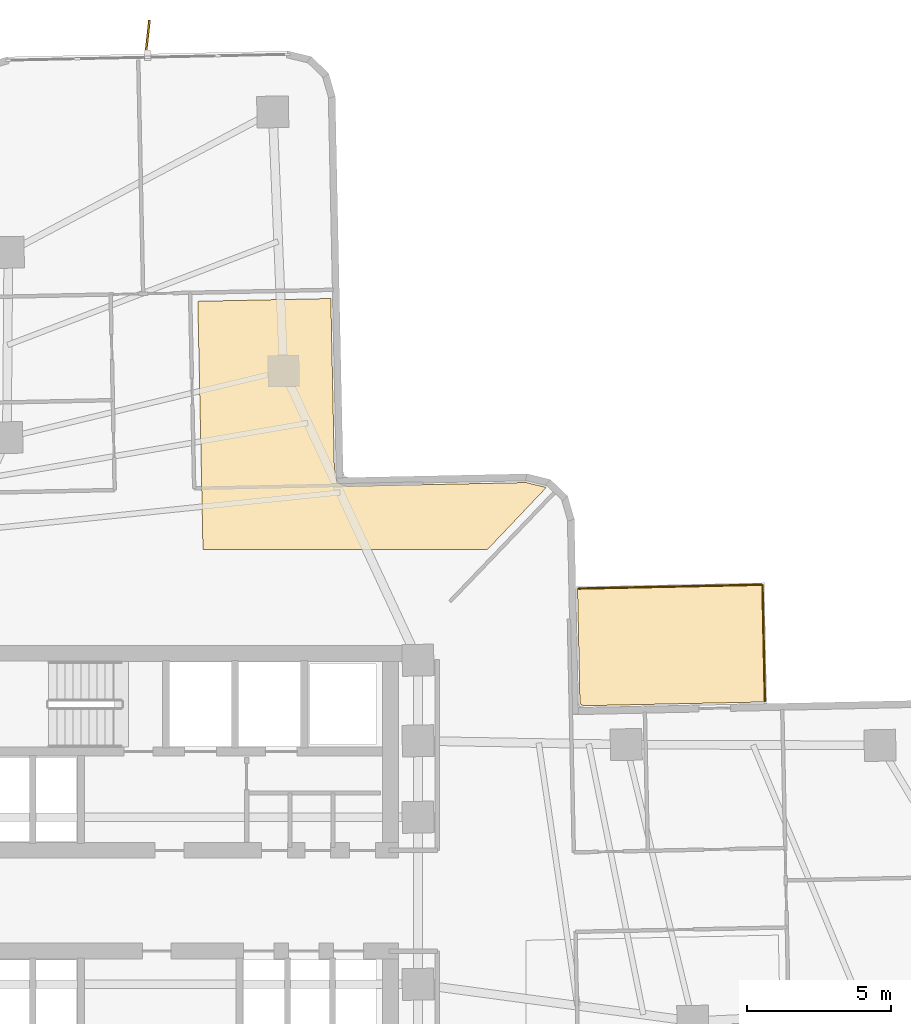
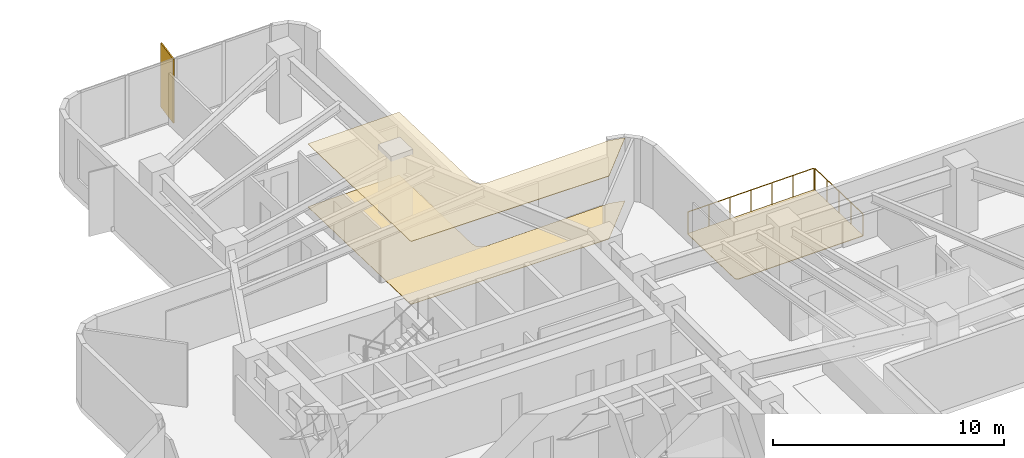
# One storey, part 15 of 15: 3 coverings, 2 railings, 1 shading device.
"""IFC4 building model written with IfcOpenShell, lengths in metres."""

from ifc_helpers import new_model, si_unit, direction, frame, origin, origin_2d, place, context, subcontext, project, spatial, polyline, rectangle, circle, outline, extrude, material, layer, layer_set, type_object, element, save


model = new_model("IFC4")

# Units and contexts
model_context = context("Model", 3, precision=1e-05, world=origin(), true_north=direction((0.0, 1.0)))
body_context = subcontext(model_context, "Body", "Model", "MODEL_VIEW")
ifc_project = project(units=[si_unit("LENGTHUNIT", "METRE"), si_unit("AREAUNIT", "SQUARE_METRE"), si_unit("VOLUMEUNIT", "CUBIC_METRE"), si_unit("PLANEANGLEUNIT", "RADIAN"), si_unit("MASSUNIT", "GRAM", prefix="KILO")], contexts=[model_context])

# Site, building, storey
site_placement = place(None, origin())
site = spatial("IfcSite", under=ifc_project, at=site_placement, CompositionType="ELEMENT")
building_placement = place(site_placement, origin())
building = spatial("IfcBuilding", under=site, at=building_placement, Name="Solmarez Civic Tower", CompositionType="ELEMENT")
storey_placement = place(building_placement, frame((0.0, 0.0, 38.8798828125)))
storey = spatial("IfcBuildingStorey", under=building, at=storey_placement, Name="L09", CompositionType="ELEMENT", Elevation=38.8798828125)

# Coverings
ifc_material_1 = material(Name="Perforated Mineral-Fibre Acoustic Ceiling")
ifc_layer_1 = layer(ifc_material_1, 0.02490234375)
ifc_layer_set_1 = layer_set([ifc_layer_1], Name="Perforated Mineral-Fibre Acoustic Ceiling")
covering_type_1 = type_object("IfcCoveringType", Name="COV-CEIL-ACOUSTIC", PredefinedType="CEILING", material=ifc_layer_set_1)
covering_1_placement = place(storey_placement, frame((0.0, 0.0, 3.315185546875)))
element("IfcCovering", 1, at=covering_1_placement, inside=storey, type_object=covering_type_1, Name="L09 Suspended Acoustic Ceiling 2", PredefinedType="CEILING", context=body_context, shape_type="SweptSolid", body=[
    extrude(outline(polyline([(1.385009765625, 12.199951171875), (11.26806640625, 12.199951171875), (13.302001953125, 14.343994140625), (13.297119140625, 14.347900390625), (12.610107421875, 14.51708984375), (6.466064453125, 14.388916015625), (6.458984375, 14.388916015625), (6.427978515625, 14.39111328125), (6.4208984375, 14.39208984375), (6.4140625, 14.39306640625), (6.39306640625, 14.39697265625), (6.22607421875, 14.43798828125), (6.218017578125, 14.43994140625), (6.2109375, 14.44189453125), (6.18408203125, 14.451904296875), (6.177001953125, 14.455078125), (6.169921875, 14.4580078125), (6.15087890625, 14.467041015625), (6.133056640625, 14.47802734375), (6.115966796875, 14.490966796875), (6.10595703125, 14.4990234375), (6.089111328125, 14.512939453125), (6.0830078125, 14.51904296875), (6.077880859375, 14.52392578125), (6.06494140625, 14.5390625), (6.052978515625, 14.553955078125), (6.0419921875, 14.572021484375), (6.032958984375, 14.587890625), (6.02392578125, 14.60595703125), (6.02099609375, 14.613037109375), (6.010986328125, 14.639892578125), (6.010009765625, 14.64599609375), (5.9609375, 14.81201171875), (5.958984375, 14.819091796875), (5.952880859375, 14.847900390625), (5.951904296875, 14.85498046875), (5.950927734375, 14.862060546875), (5.948974609375, 14.887939453125), (5.823974609375, 20.906005859375), (1.205078125, 20.81005859375), (1.385009765625, 12.199951171875)])), origin(), (0.0, 0.0, 1.0), 0.02490234375),
])
ifc_material_2 = material(Name="Polished Tropical Stone Terrazzo Flooring", Category="masonry")
ifc_layer_2 = layer(ifc_material_2, 0.02001953125)
ifc_layer_set_2 = layer_set([ifc_layer_2], Name="Polished Tropical Stone Terrazzo Flooring")
covering_type_2 = type_object("IfcCoveringType", Name="COV-FLOOR-TERRAZZO", PredefinedType="FLOORING", material=ifc_layer_set_2)
covering_2_placement = place(storey_placement, origin())
element("IfcCovering", 2, at=covering_2_placement, inside=storey, type_object=covering_type_2, Name="L09 Terrazzo Floor Finish 2", PredefinedType="FLOORING", context=body_context, shape_type="SweptSolid", body=[
    extrude(outline(polyline([(1.385009765625, 12.199951171875), (11.26806640625, 12.199951171875), (13.302001953125, 14.343994140625), (13.297119140625, 14.347900390625), (12.610107421875, 14.51708984375), (6.466064453125, 14.388916015625), (6.458984375, 14.388916015625), (6.427978515625, 14.39111328125), (6.4208984375, 14.39208984375), (6.4140625, 14.39306640625), (6.39306640625, 14.39697265625), (6.22607421875, 14.43798828125), (6.218017578125, 14.43994140625), (6.2109375, 14.44189453125), (6.18408203125, 14.451904296875), (6.177001953125, 14.455078125), (6.169921875, 14.4580078125), (6.15087890625, 14.467041015625), (6.133056640625, 14.47802734375), (6.115966796875, 14.490966796875), (6.10595703125, 14.4990234375), (6.089111328125, 14.512939453125), (6.0830078125, 14.51904296875), (6.077880859375, 14.52392578125), (6.06494140625, 14.5390625), (6.052978515625, 14.553955078125), (6.0419921875, 14.572021484375), (6.032958984375, 14.587890625), (6.02392578125, 14.60595703125), (6.02099609375, 14.613037109375), (6.010986328125, 14.639892578125), (6.010009765625, 14.64599609375), (5.9609375, 14.81201171875), (5.958984375, 14.819091796875), (5.952880859375, 14.847900390625), (5.951904296875, 14.85498046875), (5.950927734375, 14.862060546875), (5.948974609375, 14.887939453125), (5.823974609375, 20.906005859375), (1.205078125, 20.81005859375), (1.385009765625, 12.199951171875)])), origin(), (0.0, 0.0, 1.0), 0.02001953125),
])
ifc_material_3 = material(Name="Elastomeric Terrace Waterproofing Membrane")
ifc_layer_3 = layer(ifc_material_3, 0.030029296875)
ifc_layer_set_3 = layer_set([ifc_layer_3], Name="Elastomeric Terrace Waterproofing Membrane")
covering_type_3 = type_object("IfcCoveringType", Name="COV-MEMBRANE-ROOF", PredefinedType="ROOFING", material=ifc_layer_set_3)
covering_3_placement = place(storey_placement, origin())
element("IfcCovering", 3, at=covering_3_placement, inside=storey, type_object=covering_type_3, Name="L09 Balcony Waterproofing NE", PredefinedType="ROOFING", context=body_context, shape_type="SweptSolid", body=[
    extrude(outline(polyline([(14.469970703125, 6.923095703125), (14.506103515625, 6.800048828125), (14.631103515625, 6.77001953125), (20.89990234375, 6.90087890625), (20.81396484375, 10.97900390625), (14.387939453125, 10.843017578125), (14.469970703125, 6.923095703125)])), origin(), (0.0, 0.0, 1.0), 0.030029296875),
])

# Shading device
ifc_material_4 = material(Name="Bronze Anodised Aluminium EN AW-6063 T6", Category="aluminium")
ifc_layer_4 = layer(ifc_material_4, 0.06494140625)
ifc_layer_set_4 = layer_set([ifc_layer_4], Name="Bronze Anodised Aluminium EN AW-6063 T6")
shading_device_type = type_object("IfcShadingDeviceType", Name="FIN-BRONZE-Z12", PredefinedType="USERDEFINED", material=ifc_layer_set_4)
shading_device_placement = place(storey_placement, frame((-0.5458984375, 29.89990234375, -0.039794921875), z_axis=(0.0, 0.0, 1.0), x_axis=(0.108988320932, 0.994043030206, 0.0)))
element("IfcShadingDevice", 4, at=shading_device_placement, inside=storey, type_object=shading_device_type, Name="L09 Anodised Bronze Solar Fin FIN-L09-04", ObjectType="FIN", PredefinedType="USERDEFINED", context=body_context, shape_type="SweptSolid", body=[
    extrude(rectangle(XDim=1.35009765625, YDim=0.06494140625, at=origin_2d()), origin(), (0.0, 0.0, 1.0), 3.3798828125),
])

# Railings
ifc_material_5 = material(Name="Bronze Anodised Aluminium and Laminated Safety Glass Balustrade", Category="aluminium")
railing_type = type_object("IfcRailingType", Name="GUARD-TERR-1180", PredefinedType="BALUSTRADE", material=ifc_material_5)
railing_1_placement = place(storey_placement, frame((20.89892578125, 6.93603515625, 0.0)))
element("IfcRailing", 5, at=railing_1_placement, inside=storey, type_object=railing_type, Name="L09 Safety Balustrade GRD-BALC-L09-NE-1", PredefinedType="BALUSTRADE", context=body_context, shape_type="SweptSolid", body=[
    extrude(circle(Radius=0.02392578125, at=origin_2d()), frame((0.0, 0.0, 1.15576171875), z_axis=(-0.020949290711, 0.999780539528, 0.0), x_axis=(-0.999780539528, -0.020949290711, 0.0)), (0.0, 0.0, 1.0), 4.009033203125),
    extrude(circle(Radius=0.02099609375, at=origin_2d()), origin(), (0.0, 0.0, 1.0), 1.1318359375),
    extrude(circle(Radius=0.02099609375, at=origin_2d()), frame((-0.02099609375, 1.001953125, 0.0)), (0.0, 0.0, 1.0), 1.1318359375),
    extrude(circle(Radius=0.02099609375, at=origin_2d()), frame((-0.0419921875, 2.00390625, 0.0)), (0.0, 0.0, 1.0), 1.1318359375),
    extrude(circle(Radius=0.02099609375, at=origin_2d()), frame((-0.06298828125, 3.006103515625, 0.0)), (0.0, 0.0, 1.0), 1.1318359375),
    extrude(circle(Radius=0.02099609375, at=origin_2d()), frame((-0.083984375, 4.008056640625, 0.0)), (0.0, 0.0, 1.0), 1.1318359375),
])
railing_2_placement = place(storey_placement, frame((20.779052734375, 10.97802734375, 0.0)))
element("IfcRailing", 6, at=railing_2_placement, inside=storey, type_object=railing_type, Name="L09 Safety Balustrade GRD-BALC-L09-NE-2", PredefinedType="BALUSTRADE", context=body_context, shape_type="SweptSolid", body=[
    extrude(circle(Radius=0.02392578125, at=origin_2d()), frame((0.0, 0.0, 1.15576171875), z_axis=(-0.999777726302, -0.021083120986, 0.0), x_axis=(0.021083120986, -0.999777726302, 0.0)), (0.0, 0.0, 1.0), 6.357421875),
    extrude(circle(Radius=0.02099609375, at=origin_2d()), origin(), (0.0, 0.0, 1.0), 1.1318359375),
    extrude(circle(Radius=0.02099609375, at=origin_2d()), frame((-1.059326171875, -0.0224609375, 0.0)), (0.0, 0.0, 1.0), 1.1318359375),
    extrude(circle(Radius=0.02099609375, at=origin_2d()), frame((-2.11865234375, -0.044677734375, 0.0)), (0.0, 0.0, 1.0), 1.1318359375),
    extrude(circle(Radius=0.02099609375, at=origin_2d()), frame((-3.177978515625, -0.06689453125, 0.0)), (0.0, 0.0, 1.0), 1.1318359375),
    extrude(circle(Radius=0.02099609375, at=origin_2d()), frame((-4.2373046875, -0.08935546875, 0.0)), (0.0, 0.0, 1.0), 1.1318359375),
    extrude(circle(Radius=0.02099609375, at=origin_2d()), frame((-5.296630859375, -0.11181640625, 0.0)), (0.0, 0.0, 1.0), 1.1318359375),
    extrude(circle(Radius=0.02099609375, at=origin_2d()), frame((-6.35595703125, -0.134033203125, 0.0)), (0.0, 0.0, 1.0), 1.1318359375),
])

save(model, "model.ifc")
